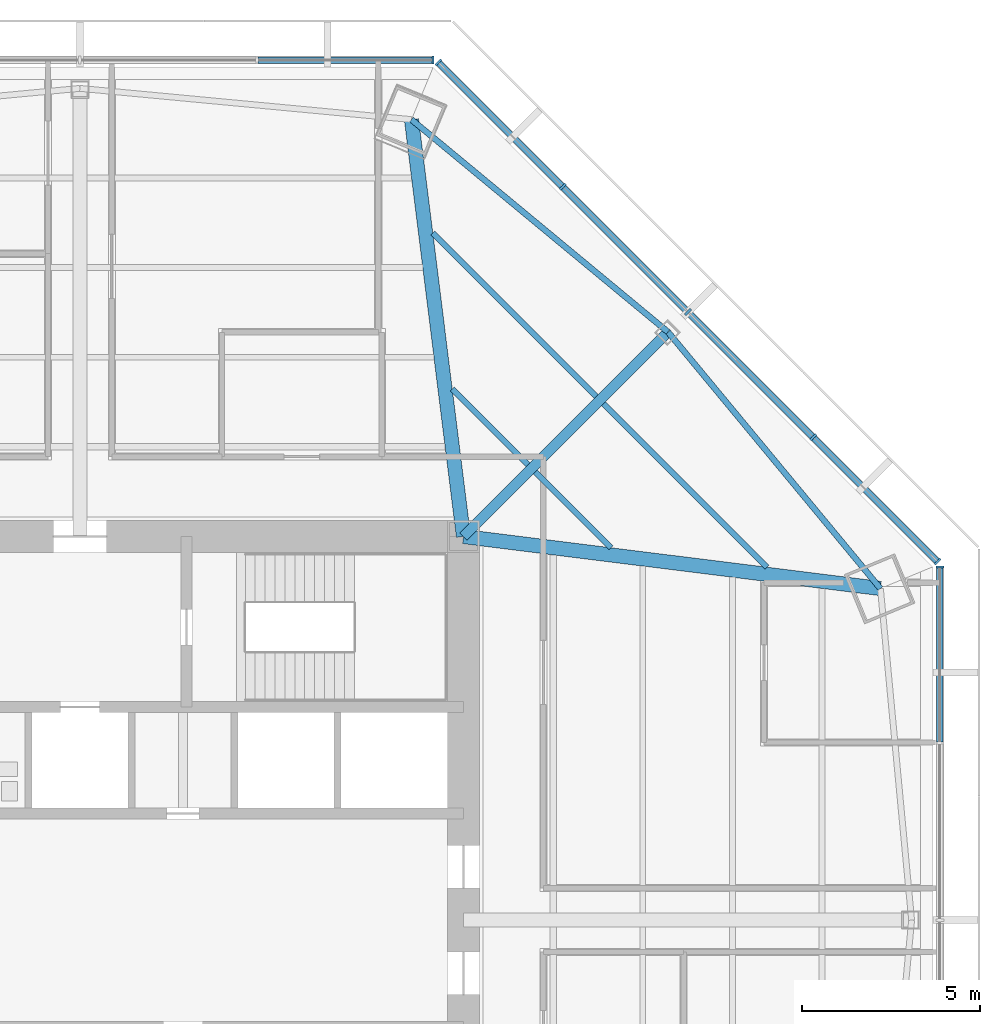
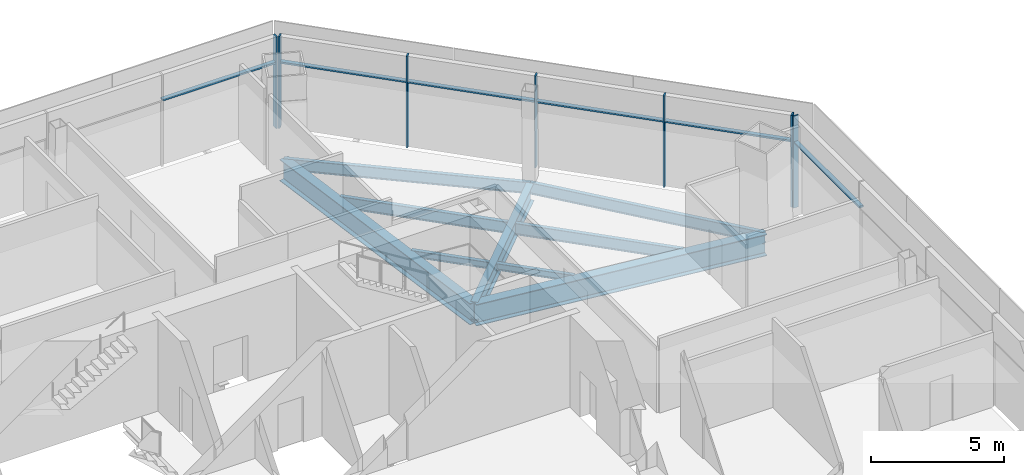
# One storey, part 6 of 14: 13 members, 9 beams, 3 elements without a shape of their own.
"""IFC4 building model written with IfcOpenShell, lengths in metres."""

from ifc_helpers import new_model, si_unit, direction, frame, origin, origin_2d, place, context, subcontext, project, spatial, rectangle, i_section, extrude, source, transform, mapped, material, material_profile, profile_set, type_object, type_shapes, element, aggregate, save


model = new_model("IFC4")

# Units and contexts
model_context = context("Model", 3, precision=1e-05, world=origin(), true_north=direction((0.0, 1.0)))
body_context = subcontext(model_context, "Body", "Model", "MODEL_VIEW")
ifc_project = project(units=[si_unit("LENGTHUNIT", "METRE"), si_unit("AREAUNIT", "SQUARE_METRE"), si_unit("VOLUMEUNIT", "CUBIC_METRE"), si_unit("PLANEANGLEUNIT", "RADIAN"), si_unit("MASSUNIT", "GRAM", prefix="KILO")], contexts=[model_context])

# Site, building, storey
site_placement = place(None, origin())
site = spatial("IfcSite", under=ifc_project, at=site_placement, CompositionType="ELEMENT")
building_placement = place(site_placement, origin())
building = spatial("IfcBuilding", under=site, at=building_placement, Name="Mashrafa Tower", CompositionType="ELEMENT")
storey_placement = place(building_placement, frame((0.0, 0.0, 134.39990234375)))
storey = spatial("IfcBuildingStorey", under=building, at=storey_placement, Name="L30", CompositionType="ELEMENT", Elevation=134.39990234375)

# Beams
ifc_material_1 = material(Name="Steel ASTM A992", Category="steel")
ifc_material_profile_1 = material_profile(ifc_material_1, i_section(OverallWidth=0.164794921875, OverallDepth=0.309814453125, WebThickness=0.005859375, FlangeThickness=0.009765625, FilletRadius=0.007568359375, at=origin_2d()), Name="W12X26")
ifc_profile_set_1 = profile_set([ifc_material_profile_1], Name="Steel ASTM A992")
beam_type_1 = type_object("IfcBeamType", Name="Beam W12X26", PredefinedType="BEAM", material=ifc_profile_set_1)
for number, where, z_axis, x_axis, name in (
    (1, (10.48388671875, 14.955078125, -0.31982421875), (0.707106781187, -0.707106781187, 0.0), (0.707106781187, 0.707106781187, 0.0), "Floor beam L30 033"),
    (2, (12.82275390625, 12.6162109375, -0.31982421875), (0.707106781187, -0.707106781187, 0.0), (0.707106781187, 0.707106781187, 0.0), "Floor beam L30 036"),
):
    element("IfcBeam", number, at=place(storey_placement, frame(where, z_axis=z_axis, x_axis=x_axis)), inside=storey, type_object=beam_type_1, Name=name, PredefinedType="BEAM", context=body_context, shape_type="SweptSolid", body=[
        extrude(i_section(OverallWidth=0.164794921875, OverallDepth=0.309814453125, WebThickness=0.005859375, FlangeThickness=0.009765625, FilletRadius=0.007568359375, at=origin_2d()), origin(), (0.0, 0.0, 1.0), 3.015625),
    ])
ifc_material_2 = material(Name="Steel ASTM A992", Category="steel")
ifc_material_profile_2 = material_profile(ifc_material_2, i_section(OverallWidth=0.1650390625, OverallDepth=0.52587890625, WebThickness=0.0087890625, FlangeThickness=0.011474609375, FilletRadius=0.0126953125, at=origin_2d()), Name="W21X44")
ifc_profile_set_2 = profile_set([ifc_material_profile_2], Name="Steel ASTM A992")
beam_type_2 = type_object("IfcBeamType", Name="Beam W21X44", PredefinedType="BEAM", material=ifc_profile_set_2)
for number, where, z_axis, x_axis, name in (
    (3, (9.93701171875, 19.341064453125, -0.427734375), (0.707125550528, -0.707088011347, 0.0), (0.707088011347, 0.707125550528, 0.0), "Floor beam L30 030"),
    (4, (14.742431640625, 14.535888671875, -0.427734375), (0.707088011347, -0.707125550528, 0.0), (0.707125550528, 0.707088011347, 0.0), "Floor beam L30 040"),
):
    element("IfcBeam", number, at=place(storey_placement, frame(where, z_axis=z_axis, x_axis=x_axis)), inside=storey, type_object=beam_type_2, Name=name, PredefinedType="BEAM", context=body_context, shape_type="SweptSolid", body=[
        extrude(i_section(OverallWidth=0.1650390625, OverallDepth=0.52587890625, WebThickness=0.0087890625, FlangeThickness=0.011474609375, FilletRadius=0.0126953125, at=origin_2d()), origin(), (0.0, 0.0, 1.0), 6.503662109375),
    ])
for number, where, z_axis, x_axis, name in (
    (5, (16.55859375, 16.55859375, -0.427734375), (-0.770219231101, 0.637779222021, 0.0), (-0.637779222021, -0.770219231101, 0.0), "Spandrel beam L30 077"),
    (6, (22.539306640625, 9.3359375, -0.427734375), (-0.637779222021, 0.770219231101, 0.0), (-0.770219231101, -0.637779222021, 0.0), "Spandrel beam L30 079"),
):
    element("IfcBeam", number, at=place(storey_placement, frame(where, z_axis=z_axis, x_axis=x_axis)), inside=storey, type_object=beam_type_2, Name=name, PredefinedType="BEAM", context=body_context, shape_type="SweptSolid", body=[
        extrude(i_section(OverallWidth=0.1650390625, OverallDepth=0.52587890625, WebThickness=0.0087890625, FlangeThickness=0.011474609375, FilletRadius=0.0126953125, at=origin_2d()), origin(), (0.0, 0.0, 1.0), 9.37744140625),
    ])
ifc_material_3 = material(Name="Steel ASTM A992", Category="steel")
ifc_material_profile_3 = material_profile(ifc_material_3, i_section(OverallWidth=0.2919921875, OverallDepth=0.8408203125, WebThickness=0.0146484375, FlangeThickness=0.021728515625, FilletRadius=0.017333984375, at=origin_2d()), Name="W33X130")
ifc_profile_set_3 = profile_set([ifc_material_profile_3], Name="Steel ASTM A992")
beam_type_3 = type_object("IfcBeamType", Name="Beam W33X130", PredefinedType="BEAM", material=ifc_profile_set_3)
beam_placement = place(storey_placement, frame((10.800048828125, 10.800048828125, -0.585205078125), z_axis=(0.707106781187, 0.707106781187, 0.0), x_axis=(-0.707106781187, 0.707106781187, 0.0)))
element("IfcBeam", 7, at=beam_placement, inside=storey, type_object=beam_type_3, Name="Radial girder L30 063", PredefinedType="BEAM", context=body_context, shape_type="SweptSolid", body=[
    extrude(i_section(OverallWidth=0.2919921875, OverallDepth=0.8408203125, WebThickness=0.0146484375, FlangeThickness=0.021728515625, FilletRadius=0.017333984375, at=origin_2d()), origin(), (0.0, 0.0, 1.0), 8.143798828125),
])
ifc_material_4 = material(Name="Steel ASTM A992", Category="steel")
ifc_material_profile_4 = material_profile(ifc_material_4, i_section(OverallWidth=0.4013671875, OverallDepth=0.98291015625, WebThickness=0.0166015625, FlangeThickness=0.027099609375, FilletRadius=0.0126953125, at=origin_2d()), Name="W40X199")
ifc_profile_set_4 = profile_set([ifc_material_profile_4], Name="Steel ASTM A992")
beam_type_4 = type_object("IfcBeamType", Name="Beam W40X199", PredefinedType="BEAM", material=ifc_profile_set_4)
for number, where, z_axis, x_axis, name in (
    (8, (10.800048828125, 10.800048828125, -0.656494140625), (-0.123760415771, 0.992312128057, 0.0), (-0.992312128057, -0.123760415771, 0.0), "Radial girder L30 062"),
    (9, (10.800048828125, 10.800048828125, -0.656494140625), (0.992312128057, -0.123760415771, 0.0), (0.123760415771, 0.992312128057, 0.0), "Radial girder L30 064"),
):
    element("IfcBeam", number, at=place(storey_placement, frame(where, z_axis=z_axis, x_axis=x_axis)), inside=storey, type_object=beam_type_4, Name=name, PredefinedType="BEAM", context=body_context, shape_type="SweptSolid", body=[
        extrude(i_section(OverallWidth=0.4013671875, OverallDepth=0.98291015625, WebThickness=0.0166015625, FlangeThickness=0.027099609375, FilletRadius=0.0126953125, at=origin_2d()), origin(), (0.0, 0.0, 1.0), 11.830322265625),
    ])

# Curtain wall, member
ifc_material_5 = material(Name="Unitised aluminium curtain wall", Category="aluminium")
curtain_wall_type = type_object("IfcCurtainWallType", Name="Office curtain wall, zone 2 CW-B 225 deep", PredefinedType="NOTDEFINED", material=ifc_material_5)
curtain_wall_1_placement = place(storey_placement, origin())
curtain_wall_1 = element("IfcCurtainWall", 10, at=curtain_wall_1_placement, inside=storey, type_object=curtain_wall_type, Name="Office curtain wall, zone 2 L30 east", PredefinedType="NOTDEFINED")
ifc_material_6 = material(Name="Extruded aluminium mullion", Category="aluminium")
ifc_material_profile_5 = material_profile(ifc_material_6, rectangle(XDim=0.22509765625, YDim=0.06494140625, at=origin_2d()), Name="Mullion 65x225")
ifc_profile_set_5 = profile_set([ifc_material_profile_5], Name="Extruded aluminium mullion")
member_type_1 = type_object("IfcMemberType", Name="Mullion CW-B 65 x 225", PredefinedType="MULLION", material=ifc_profile_set_5)
shared_shape_1 = source(origin(), body_context, "Body", "SweptSolid", [
    extrude(rectangle(XDim=0.22509765625, YDim=0.06494140625, at=origin_2d()), origin(), (0.0, 0.0, 1.0), 4.2001953125),
])
type_shapes(member_type_1, [shared_shape_1])
member_1_placement = place(storey_placement, frame((24.212646484375, 9.940185546875, 0.0), z_axis=(0.0, 0.0, 1.0), x_axis=(-1.0, 0.0, 0.0)))
member_1 = element("IfcMember", 11, at=member_1_placement, type_object=member_type_1, Name="CW-B mullion 5", PredefinedType="MULLION", context=body_context, shape_type="MappedRepresentation", body=[
    mapped(shared_shape_1, transform((0.0, 0.0, 0.0))),
])

# Curtain wall, members
curtain_wall_2_placement = place(storey_placement, origin())
curtain_wall_2 = element("IfcCurtainWall", 12, at=curtain_wall_2_placement, inside=storey, type_object=curtain_wall_type, Name="Office curtain wall, zone 2 L30 north-east", PredefinedType="NOTDEFINED")
member_2_placement = place(storey_placement, frame((24.149658203125, 10.09228515625, 0.0), z_axis=(0.0, 0.0, 1.0), x_axis=(-0.707106781187, -0.707106781187, 0.0)))
member_2 = element("IfcMember", 13, at=member_2_placement, type_object=member_type_1, Name="CW-B mullion 1", PredefinedType="MULLION", context=body_context, shape_type="MappedRepresentation", body=[
    mapped(shared_shape_1, transform((0.0, 0.0, 0.0))),
])
member_3_placement = place(storey_placement, frame((20.646728515625, 13.59521484375, 0.0), z_axis=(0.0, 0.0, 1.0), x_axis=(-0.707106781187, -0.707106781187, 0.0)))
member_3 = element("IfcMember", 14, at=member_3_placement, type_object=member_type_1, Name="CW-B mullion 2", PredefinedType="MULLION", context=body_context, shape_type="MappedRepresentation", body=[
    mapped(shared_shape_1, transform((0.0, 0.0, 0.0))),
])
member_4_placement = place(storey_placement, frame((17.12109375, 17.12109375, 0.0), z_axis=(0.0, 0.0, 1.0), x_axis=(-0.707106781187, -0.707106781187, 0.0)))
member_4 = element("IfcMember", 15, at=member_4_placement, type_object=member_type_1, Name="CW-B mullion 3", PredefinedType="MULLION", context=body_context, shape_type="MappedRepresentation", body=[
    mapped(shared_shape_1, transform((0.0, 0.0, 0.0))),
])
member_5_placement = place(storey_placement, frame((13.59521484375, 20.646728515625, 0.0), z_axis=(0.0, 0.0, 1.0), x_axis=(-0.707106781187, -0.707106781187, 0.0)))
member_5 = element("IfcMember", 16, at=member_5_placement, type_object=member_type_1, Name="CW-B mullion 4", PredefinedType="MULLION", context=body_context, shape_type="MappedRepresentation", body=[
    mapped(shared_shape_1, transform((0.0, 0.0, 0.0))),
])
member_6_placement = place(storey_placement, frame((10.09228515625, 24.149658203125, 0.0), z_axis=(0.0, 0.0, 1.0), x_axis=(-0.707106781187, -0.707106781187, 0.0)))
member_6 = element("IfcMember", 17, at=member_6_placement, type_object=member_type_1, Name="CW-B mullion 5", PredefinedType="MULLION", context=body_context, shape_type="MappedRepresentation", body=[
    mapped(shared_shape_1, transform((0.0, 0.0, 0.0))),
])

# Curtain wall, member
curtain_wall_3_placement = place(storey_placement, origin())
curtain_wall_3 = element("IfcCurtainWall", 18, at=curtain_wall_3_placement, inside=storey, type_object=curtain_wall_type, Name="Office curtain wall, zone 2 L30 north", PredefinedType="NOTDEFINED")
member_7_placement = place(storey_placement, frame((9.940185546875, 24.212646484375, 0.0), z_axis=(0.0, 0.0, 1.0), x_axis=(0.0, -1.0, 0.0)))
member_7 = element("IfcMember", 19, at=member_7_placement, type_object=member_type_1, Name="CW-B mullion 1", PredefinedType="MULLION", context=body_context, shape_type="MappedRepresentation", body=[
    mapped(shared_shape_1, transform((0.0, 0.0, 0.0))),
])

# Member
ifc_material_7 = material(Name="Extruded aluminium transom", Category="aluminium")
ifc_material_profile_6 = material_profile(ifc_material_7, rectangle(XDim=0.179931640625, YDim=0.080078125, at=origin_2d()), Name="Transom 80x180")
ifc_profile_set_6 = profile_set([ifc_material_profile_6], Name="Extruded aluminium transom")
member_type_2 = type_object("IfcMemberType", Name="Transom CW-B 80 x 180", PredefinedType="MULLION", material=ifc_profile_set_6)
shared_shape_2 = source(origin(), body_context, "Body", "SweptSolid", [
    extrude(rectangle(XDim=0.179931640625, YDim=0.080078125, at=origin_2d()), origin(), (0.0, 0.0, 1.0), 4.888916015625),
])
member_8_placement = place(storey_placement, frame((24.212646484375, 5.018798828125, 3.0), z_axis=(0.0, 1.0, 0.0), x_axis=(-1.0, 0.0, 0.0)))
member_8 = element("IfcMember", 20, at=member_8_placement, type_object=member_type_2, Name="CW-B transom 4", PredefinedType="MULLION", context=body_context, shape_type="MappedRepresentation", body=[
    mapped(shared_shape_2, transform((0.0, 0.0, 0.0))),
])

aggregate(curtain_wall_1, [member_1, member_8])

member_9_placement = place(storey_placement, frame((9.90771484375, 24.212646484375, 3.0), z_axis=(-1.0, 0.0, 0.0), x_axis=(0.0, -1.0, 0.0)))
member_9 = element("IfcMember", 21, at=member_9_placement, type_object=member_type_2, Name="CW-B transom 1", PredefinedType="MULLION", context=body_context, shape_type="MappedRepresentation", body=[
    mapped(shared_shape_2, transform((0.0, 0.0, 0.0))),
])

aggregate(curtain_wall_3, [member_7, member_9])

shared_shape_3 = source(origin(), body_context, "Body", "SweptSolid", [
    extrude(rectangle(XDim=0.179931640625, YDim=0.080078125, at=origin_2d()), origin(), (0.0, 0.0, 1.0), 4.888671875),
])
member_10_placement = place(storey_placement, frame((24.126708984375, 10.115234375, 3.0), z_axis=(-0.707106781187, 0.707106781187, 0.0), x_axis=(-0.707106781187, -0.707106781187, 0.0)))
member_10 = element("IfcMember", 22, at=member_10_placement, type_object=member_type_2, Name="CW-B transom 1", PredefinedType="MULLION", context=body_context, shape_type="MappedRepresentation", body=[
    mapped(shared_shape_3, transform((0.0, 0.0, 0.0))),
])

member_11_placement = place(storey_placement, frame((13.572021484375, 20.669921875, 3.0), z_axis=(-0.707106781187, 0.707106781187, 0.0), x_axis=(-0.707106781187, -0.707106781187, 0.0)))
member_11 = element("IfcMember", 23, at=member_11_placement, type_object=member_type_2, Name="CW-B transom 4", PredefinedType="MULLION", context=body_context, shape_type="MappedRepresentation", body=[
    mapped(shared_shape_3, transform((0.0, 0.0, 0.0))),
])

shared_shape_4 = source(origin(), body_context, "Body", "SweptSolid", [
    extrude(rectangle(XDim=0.179931640625, YDim=0.080078125, at=origin_2d()), origin(), (0.0, 0.0, 1.0), 4.921142578125),
])
type_shapes(member_type_2, [shared_shape_2, shared_shape_3, shared_shape_4])
member_12_placement = place(storey_placement, frame((20.623779296875, 13.6181640625, 3.0), z_axis=(-0.707106781187, 0.707106781187, 0.0), x_axis=(-0.707106781187, -0.707106781187, 0.0)))
member_12 = element("IfcMember", 24, at=member_12_placement, type_object=member_type_2, Name="CW-B transom 2", PredefinedType="MULLION", context=body_context, shape_type="MappedRepresentation", body=[
    mapped(shared_shape_4, transform((0.0, 0.0, 0.0))),
])

member_13_placement = place(storey_placement, frame((17.097900390625, 17.14404296875, 3.0), z_axis=(-0.707106781187, 0.707106781187, 0.0), x_axis=(-0.707106781187, -0.707106781187, 0.0)))
member_13 = element("IfcMember", 25, at=member_13_placement, type_object=member_type_2, Name="CW-B transom 3", PredefinedType="MULLION", context=body_context, shape_type="MappedRepresentation", body=[
    mapped(shared_shape_4, transform((0.0, 0.0, 0.0))),
])

aggregate(curtain_wall_2, [member_2, member_3, member_4, member_5, member_6, member_10, member_12, member_13, member_11])

save(model, "model.ifc")
